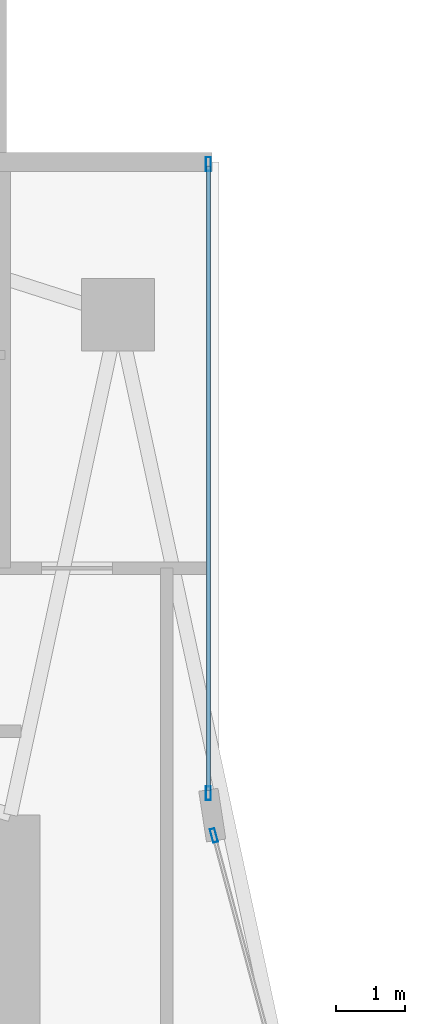
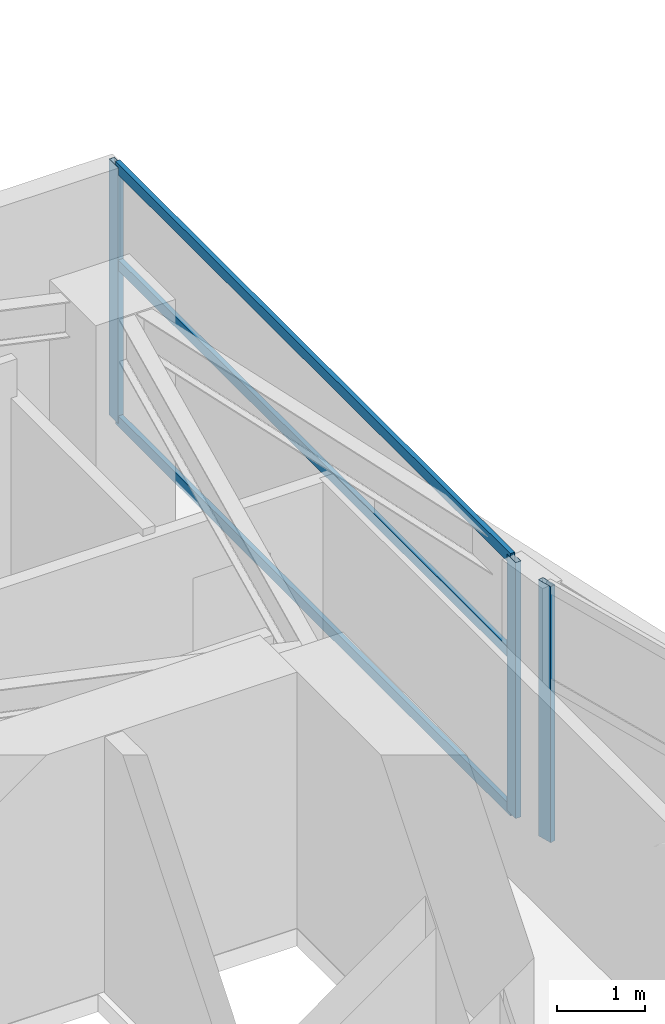
# One storey, part 18 of 29: 6 members, 2 elements without a shape of their own.
"""IFC4 building model written with IfcOpenShell, lengths in metres."""

from ifc_helpers import new_model, si_unit, direction, frame, origin, origin_2d, place, context, subcontext, project, spatial, hollow_rectangle, extrude, material, layer, layer_set, material_profile, profile_set, type_object, element, aggregate, save


model = new_model("IFC4")

# Units and contexts
model_context = context("Model", 3, precision=1e-05, world=origin(), true_north=direction((0.0, 1.0)))
body_context = subcontext(model_context, "Body", "Model", "MODEL_VIEW")
ifc_project = project(units=[si_unit("LENGTHUNIT", "METRE"), si_unit("AREAUNIT", "SQUARE_METRE"), si_unit("VOLUMEUNIT", "CUBIC_METRE"), si_unit("PLANEANGLEUNIT", "RADIAN"), si_unit("MASSUNIT", "GRAM", prefix="KILO")], contexts=[model_context])

# Site, building, storey
site_placement = place(None, origin())
site = spatial("IfcSite", under=ifc_project, at=site_placement, CompositionType="ELEMENT")
building_placement = place(site_placement, origin())
building = spatial("IfcBuilding", under=site, at=building_placement, Name="Calvorn Quay Hotel", CompositionType="ELEMENT")
storey_placement = place(building_placement, frame((0.0, 0.0, 171.300048828125)))
storey = spatial("IfcBuildingStorey", under=building, at=storey_placement, Name="L42", CompositionType="ELEMENT", Elevation=171.300048828125)

# Curtain wall, member
ifc_material_1 = material(Name="Pale Anodised Aluminium and Low-E Glass", Category="aluminium")
ifc_layer = layer(ifc_material_1, 0.219970703125)
ifc_layer_set = layer_set([ifc_layer], Name="CW-SYS-Z2")
curtain_wall_type = type_object("IfcCurtainWallType", Name="CW-SYS-Z2", PredefinedType="NOTDEFINED", material=ifc_layer_set)
curtain_wall_1_placement = place(storey_placement, origin())
curtain_wall_1 = element("IfcCurtainWall", 1, at=curtain_wall_1_placement, inside=storey, type_object=curtain_wall_type, Name="Inner Court Curtain Wall L42-IC1", PredefinedType="NOTDEFINED")
ifc_material_2 = material(Name="Pale Anodised Aluminium 6063-T6", Category="aluminium")
ifc_material_profile_1 = material_profile(ifc_material_2, hollow_rectangle(XDim=0.070068359375, YDim=0.199951171875, WallThickness=0.00390625, at=origin_2d()), Name="ALU-M200x70x4")
ifc_profile_set_1 = profile_set([ifc_material_profile_1], Name="Pale Anodised Aluminium 6063-T6")
member_type_1 = type_object("IfcMemberType", Name="CW-SYS-Z2-MUL", PredefinedType="MULLION", material=ifc_profile_set_1)
member_1_placement = place(storey_placement, frame((17.9296875, 38.10107421875, 0.0), z_axis=(0.0, 0.0, 1.0), x_axis=(-0.96593652056, -0.25877913024, 0.0)))
member_1 = element("IfcMember", 2, at=member_1_placement, type_object=member_type_1, Name="CW-L42-IC1 mullion 2", PredefinedType="MULLION", context=body_context, shape_type="SweptSolid", body=[
    extrude(hollow_rectangle(XDim=0.070068359375, YDim=0.199951171875, WallThickness=0.00390625, at=origin_2d()), origin(), (0.0, 0.0, 1.0), 3.56005859375),
])
aggregate(curtain_wall_1, [member_1])

# Curtain wall, members
curtain_wall_2_placement = place(storey_placement, origin())
curtain_wall_2 = element("IfcCurtainWall", 3, at=curtain_wall_2_placement, inside=storey, type_object=curtain_wall_type, Name="Inner Court Curtain Wall L42-IC2", PredefinedType="NOTDEFINED")
member_2_placement = place(storey_placement, frame((17.85009765625, 38.7099609375, 0.0), z_axis=(0.0, 0.0, 1.0), x_axis=(-1.0, 0.0, 0.0)))
member_2 = element("IfcMember", 4, at=member_2_placement, type_object=member_type_1, Name="CW-L42-IC2 mullion 1", PredefinedType="MULLION", context=body_context, shape_type="SweptSolid", body=[
    extrude(hollow_rectangle(XDim=0.070068359375, YDim=0.199951171875, WallThickness=0.00390625, at=origin_2d()), origin(), (0.0, 0.0, 1.0), 3.56005859375),
])
member_3_placement = place(storey_placement, frame((17.85009765625, 47.77001953125, 0.0), z_axis=(0.0, 0.0, 1.0), x_axis=(-1.0, 0.0, 0.0)))
member_3 = element("IfcMember", 5, at=member_3_placement, type_object=member_type_1, Name="CW-L42-IC2 mullion 2", PredefinedType="MULLION", context=body_context, shape_type="SweptSolid", body=[
    extrude(hollow_rectangle(XDim=0.070068359375, YDim=0.199951171875, WallThickness=0.00390625, at=origin_2d()), origin(), (0.0, 0.0, 1.0), 3.56005859375),
])
ifc_material_3 = material(Name="Pale Anodised Aluminium 6063-T6", Category="aluminium")
ifc_material_profile_2 = material_profile(ifc_material_3, hollow_rectangle(XDim=0.06005859375, YDim=0.14990234375, WallThickness=0.00341796875, at=origin_2d()), Name="ALU-T150x60x3.5")
ifc_profile_set_2 = profile_set([ifc_material_profile_2], Name="Pale Anodised Aluminium 6063-T6")
member_type_2 = type_object("IfcMemberType", Name="CW-SYS-Z2-TRN", PredefinedType="USERDEFINED", material=ifc_profile_set_2)
member_4_placement = place(storey_placement, frame((17.85009765625, 38.739990234375, 0.030029296875), z_axis=(0.0, 1.0, 0.0), x_axis=(-1.0, 0.0, 0.0)))
member_4 = element("IfcMember", 6, at=member_4_placement, type_object=member_type_2, Name="CW-L42-IC2 transom 1.1", ObjectType="TRANSOM", PredefinedType="USERDEFINED", context=body_context, shape_type="SweptSolid", body=[
    extrude(hollow_rectangle(XDim=0.06005859375, YDim=0.14990234375, WallThickness=0.00341796875, at=origin_2d()), origin(), (0.0, 0.0, 1.0), 9.0),
])
member_5_placement = place(storey_placement, frame((17.85009765625, 38.739990234375, 2.199951171875), z_axis=(0.0, 1.0, 0.0), x_axis=(-1.0, 0.0, 0.0)))
member_5 = element("IfcMember", 7, at=member_5_placement, type_object=member_type_2, Name="CW-L42-IC2 transom 1.2", ObjectType="TRANSOM", PredefinedType="USERDEFINED", context=body_context, shape_type="SweptSolid", body=[
    extrude(hollow_rectangle(XDim=0.06005859375, YDim=0.14990234375, WallThickness=0.00341796875, at=origin_2d()), origin(), (0.0, 0.0, 1.0), 9.0),
])
member_6_placement = place(storey_placement, frame((17.85009765625, 38.739990234375, 3.530029296875), z_axis=(0.0, 1.0, 0.0), x_axis=(-1.0, 0.0, 0.0)))
member_6 = element("IfcMember", 8, at=member_6_placement, type_object=member_type_2, Name="CW-L42-IC2 transom 1.3", ObjectType="TRANSOM", PredefinedType="USERDEFINED", context=body_context, shape_type="SweptSolid", body=[
    extrude(hollow_rectangle(XDim=0.06005859375, YDim=0.14990234375, WallThickness=0.00341796875, at=origin_2d()), origin(), (0.0, 0.0, 1.0), 9.0),
])
aggregate(curtain_wall_2, [member_2, member_3, member_4, member_5, member_6])

save(model, "model.ifc")
